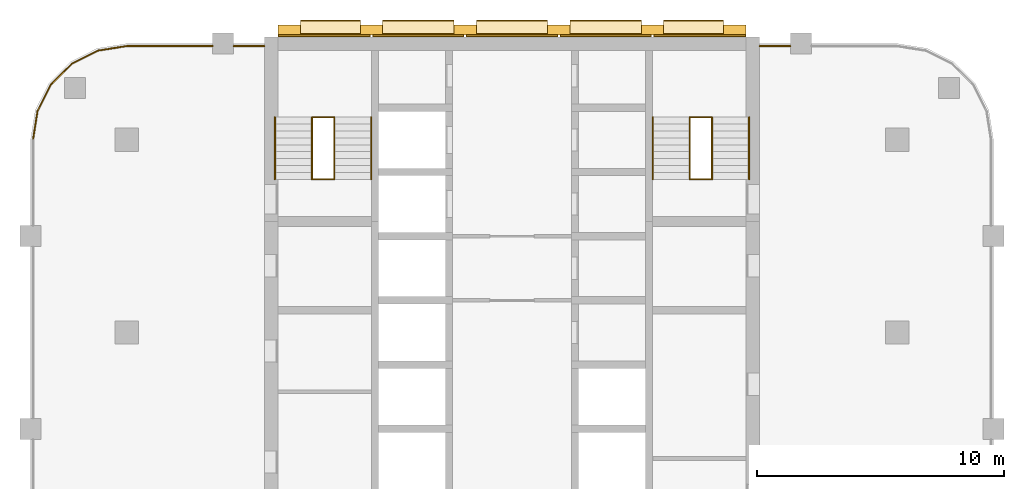
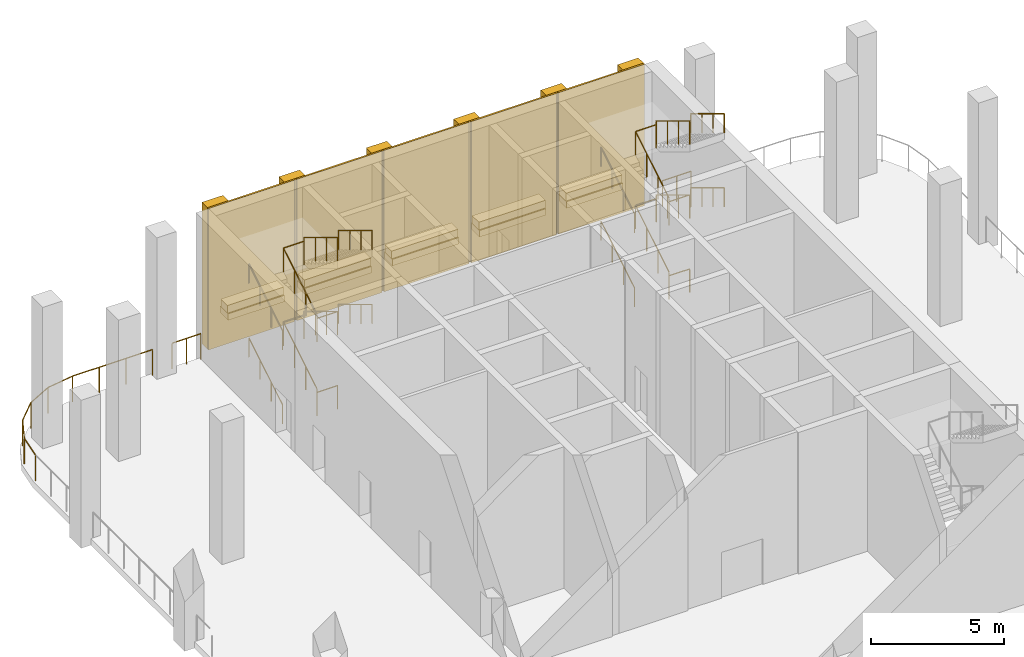
# One storey, part 9 of 10: 28 railings, 21 coverings, 2 elements without a shape of their own.
"""IFC4 building model written with IfcOpenShell, lengths in metres."""

from ifc_helpers import new_model, si_unit, direction, frame, origin, origin_2d, place, context, subcontext, project, spatial, rectangle, circle, extrude, material, layer, layer_set, type_object, element, aggregate, save


model = new_model("IFC4")

# Units and contexts
model_context = context("Model", 3, precision=1e-05, world=origin(), true_north=direction((0.0, 1.0)))
body_context = subcontext(model_context, "Body", "Model", "MODEL_VIEW")
ifc_project = project(units=[si_unit("LENGTHUNIT", "METRE"), si_unit("AREAUNIT", "SQUARE_METRE"), si_unit("VOLUMEUNIT", "CUBIC_METRE"), si_unit("PLANEANGLEUNIT", "RADIAN"), si_unit("MASSUNIT", "GRAM", prefix="KILO")], contexts=[model_context])

# Site, building, storey
site_placement = place(None, origin())
site = spatial("IfcSite", under=ifc_project, at=site_placement, CompositionType="ELEMENT")
building_placement = place(site_placement, origin())
building = spatial("IfcBuilding", under=site, at=building_placement, Name="Ludao Terraces", CompositionType="ELEMENT")
storey_placement = place(building_placement, frame((0.0, 0.0, 116.89990234375)))
storey = spatial("IfcBuildingStorey", under=building, at=storey_placement, Name="L32", CompositionType="ELEMENT", Elevation=116.89990234375)

# Coverings
ifc_material_1 = material(Name="Granite cladding", Category="masonry")
ifc_layer_1 = layer(ifc_material_1, 0.39990234375)
ifc_layer_set_1 = layer_set([ifc_layer_1], Name="ENV Core pilaster stone 400")
covering_type_1 = type_object("IfcCoveringType", Name="ENV Core pilaster stone 400", PredefinedType="CLADDING", material=ifc_layer_set_1)
for number, where, z_axis, x_axis, name in (
    (1, (75.97509765625, 85.054931640625, 0.0), (0.0, 0.0, 1.0), (1.0, 0.0, 0.0), "CC-L32-PIL1"),
    (2, (79.31494140625, 85.054931640625, 0.0), (0.0, 0.0, 1.0), (1.0, 0.0, 0.0), "CC-L32-PIL2"),
    (3, (83.10498046875, 85.054931640625, 0.0), (0.0, 0.0, 1.0), (1.0, 0.0, 0.0), "CC-L32-PIL3"),
    (4, (86.89501953125, 85.054931640625, 0.0), (0.0, 0.0, 1.0), (1.0, 0.0, 0.0), "CC-L32-PIL4"),
    (5, (90.68505859375, 85.054931640625, 0.0), (0.0, 0.0, 1.0), (1.0, 0.0, 0.0), "CC-L32-PIL5"),
    (6, (94.02490234375, 85.054931640625, 0.0), (0.0, 0.0, 1.0), (1.0, 0.0, 0.0), "CC-L32-PIL6"),
):
    element("IfcCovering", number, at=place(storey_placement, frame(where, z_axis=z_axis, x_axis=x_axis)), inside=storey, type_object=covering_type_1, Name=name, PredefinedType="CLADDING", context=body_context, shape_type="SweptSolid", body=[
        extrude(rectangle(XDim=0.89990234375, YDim=0.39990234375, at=origin_2d()), origin(), (0.0, 0.0, 1.0), 6.5),
    ])
ifc_layer_2 = layer(ifc_material_1, 0.60009765625)
ifc_layer_set_2 = layer_set([ifc_layer_2], Name="ENV Core planting shelf stone 600")
covering_type_2 = type_object("IfcCoveringType", Name="ENV Core planting shelf stone 600", PredefinedType="CLADDING", material=ifc_layer_set_2)
covering_1_placement = place(storey_placement, frame((77.64501953125, 85.155029296875, 1.0), z_axis=(0.0, 0.0, 1.0), x_axis=(1.0, 0.0, 0.0)))
element("IfcCovering", 7, at=covering_1_placement, inside=storey, type_object=covering_type_2, Name="CC-L32-SHELF1", PredefinedType="CLADDING", context=body_context, shape_type="SweptSolid", body=[
    extrude(rectangle(XDim=2.43994140625, YDim=0.60009765625, at=origin_2d()), origin(), (0.0, 0.0, 1.0), 0.300048828125),
])
for number, where, z_axis, x_axis, name in (
    (8, (81.2099609375, 85.155029296875, 1.0), (0.0, 0.0, 1.0), (1.0, 0.0, 0.0), "CC-L32-SHELF2"),
    (9, (85.0, 85.155029296875, 1.0), (0.0, 0.0, 1.0), (1.0, 0.0, 0.0), "CC-L32-SHELF3"),
    (10, (88.7900390625, 85.155029296875, 1.0), (0.0, 0.0, 1.0), (1.0, 0.0, 0.0), "CC-L32-SHELF4"),
):
    element("IfcCovering", number, at=place(storey_placement, frame(where, z_axis=z_axis, x_axis=x_axis)), inside=storey, type_object=covering_type_2, Name=name, PredefinedType="CLADDING", context=body_context, shape_type="SweptSolid", body=[
        extrude(rectangle(XDim=2.889892578125, YDim=0.60009765625, at=origin_2d()), origin(), (0.0, 0.0, 1.0), 0.300048828125),
    ])
covering_2_placement = place(storey_placement, frame((92.35498046875, 85.155029296875, 1.0), z_axis=(0.0, 0.0, 1.0), x_axis=(1.0, 0.0, 0.0)))
element("IfcCovering", 11, at=covering_2_placement, inside=storey, type_object=covering_type_2, Name="CC-L32-SHELF5", PredefinedType="CLADDING", context=body_context, shape_type="SweptSolid", body=[
    extrude(rectangle(XDim=2.43994140625, YDim=0.60009765625, at=origin_2d()), origin(), (0.0, 0.0, 1.0), 0.300048828125),
])
ifc_layer_3 = layer(ifc_material_1, 0.080078125)
ifc_layer_set_3 = layer_set([ifc_layer_3], Name="ENV Core stone cladding panel 80")
covering_type_3 = type_object("IfcCoveringType", Name="ENV Core stone cladding panel 80", PredefinedType="CLADDING", material=ifc_layer_set_3)
covering_3_placement = place(storey_placement, frame((77.39501953125, 84.81494140625, 0.0), z_axis=(0.0, 0.0, 1.0), x_axis=(1.0, 0.0, 0.0)))
element("IfcCovering", 12, at=covering_3_placement, inside=storey, type_object=covering_type_3, Name="CC-L32-CORE1", PredefinedType="CLADDING", context=body_context, shape_type="SweptSolid", body=[
    extrude(rectangle(XDim=3.739990234375, YDim=0.080078125, at=origin_2d()), origin(), (0.0, 0.0, 1.0), 6.5),
])
for number, where, z_axis, x_axis, name in (
    (13, (81.2099609375, 84.81494140625, 0.0), (0.0, 0.0, 1.0), (1.0, 0.0, 0.0), "CC-L32-CORE2"),
    (14, (85.0, 84.81494140625, 0.0), (0.0, 0.0, 1.0), (1.0, 0.0, 0.0), "CC-L32-CORE3"),
    (15, (88.7900390625, 84.81494140625, 0.0), (0.0, 0.0, 1.0), (1.0, 0.0, 0.0), "CC-L32-CORE4"),
):
    element("IfcCovering", number, at=place(storey_placement, frame(where, z_axis=z_axis, x_axis=x_axis)), inside=storey, type_object=covering_type_3, Name=name, PredefinedType="CLADDING", context=body_context, shape_type="SweptSolid", body=[
        extrude(rectangle(XDim=3.68994140625, YDim=0.080078125, at=origin_2d()), origin(), (0.0, 0.0, 1.0), 6.5),
    ])
covering_4_placement = place(storey_placement, frame((92.60498046875, 84.81494140625, 0.0), z_axis=(0.0, 0.0, 1.0), x_axis=(1.0, 0.0, 0.0)))
element("IfcCovering", 16, at=covering_4_placement, inside=storey, type_object=covering_type_3, Name="CC-L32-CORE5", PredefinedType="CLADDING", context=body_context, shape_type="SweptSolid", body=[
    extrude(rectangle(XDim=3.739990234375, YDim=0.080078125, at=origin_2d()), origin(), (0.0, 0.0, 1.0), 6.5),
])

# Railings
ifc_material_2 = material(Name="Steel Q235", Category="steel")
railing_type_1 = type_object("IfcRailingType", Name="ENV Open-edge guard 1200", PredefinedType="GUARDRAIL", material=ifc_material_2)
railing_1_placement = place(storey_placement, frame((69.39990234375, 84.39990234375, 0.0)))
element("IfcRailing", 17, at=railing_1_placement, inside=storey, type_object=railing_type_1, Name="Guard L32 N1", PredefinedType="GUARDRAIL", context=body_context, shape_type="SweptSolid", body=[
    extrude(circle(Radius=0.02392578125, at=origin_2d()), frame((0.0, 0.0, 1.17578125), z_axis=(1.0, 0.0, 0.0), x_axis=(0.0, 1.0, 0.0)), (0.0, 0.0, 1.0), 3.47509765625),
    extrude(circle(Radius=0.02099609375, at=origin_2d()), origin(), (0.0, 0.0, 1.0), 1.15185546875),
    extrude(circle(Radius=0.02099609375, at=origin_2d()), frame((1.158447265625, 0.0, 0.0)), (0.0, 0.0, 1.0), 1.15185546875),
    extrude(circle(Radius=0.02099609375, at=origin_2d()), frame((2.316650390625, 0.0, 0.0)), (0.0, 0.0, 1.0), 1.15185546875),
    extrude(circle(Radius=0.02099609375, at=origin_2d()), frame((3.47509765625, 0.0, 0.0)), (0.0, 0.0, 1.0), 1.15185546875),
])
for number, where, name in (
    (18, (73.72509765625, 84.39990234375, 0.0), "Guard L32 N2"),
    (19, (95.02490234375, 84.39990234375, 0.0), "Guard L32 N3"),
):
    element("IfcRailing", number, at=place(storey_placement, frame(where)), inside=storey, type_object=railing_type_1, Name=name, PredefinedType="GUARDRAIL", context=body_context, shape_type="SweptSolid", body=[
        extrude(circle(Radius=0.02392578125, at=origin_2d()), frame((0.0, 0.0, 1.17578125), z_axis=(1.0, 0.0, 0.0), x_axis=(0.0, 1.0, 0.0)), (0.0, 0.0, 1.0), 1.25),
        extrude(circle(Radius=0.02099609375, at=origin_2d()), origin(), (0.0, 0.0, 1.0), 1.15185546875),
        extrude(circle(Radius=0.02099609375, at=origin_2d()), frame((0.625, 0.0, 0.0)), (0.0, 0.0, 1.0), 1.15185546875),
        extrude(circle(Radius=0.02099609375, at=origin_2d()), frame((1.25, 0.0, 0.0)), (0.0, 0.0, 1.0), 1.15185546875),
    ])
railing_2_placement = place(storey_placement, frame((69.39990234375, 84.39990234375, 0.0)))
element("IfcRailing", 20, at=railing_2_placement, inside=storey, type_object=railing_type_1, Name="Guard L32 NW", PredefinedType="GUARDRAIL", context=body_context, shape_type="SweptSolid", body=[
    extrude(circle(Radius=0.02392578125, at=origin_2d()), frame((0.0, 0.0, 1.17578125), z_axis=(-0.987709617879, -0.156300066377, 0.0), x_axis=(0.156300066377, -0.987709617879, 0.0)), (0.0, 0.0, 1.0), 1.188720703125),
    extrude(circle(Radius=0.02392578125, at=origin_2d()), frame((-1.174072265625, -0.185791015625, 1.17578125), z_axis=(-0.890992479772, -0.454018062405, 0.0), x_axis=(0.454018062405, -0.890992479772, 0.0)), (0.0, 0.0, 1.0), 1.18896484375),
    extrude(circle(Radius=0.02392578125, at=origin_2d()), frame((-2.2333984375, -0.7255859375, 1.17578125), z_axis=(-0.707106781187, -0.707106781187, 0.0), x_axis=(0.707106781187, -0.707106781187, 0.0)), (0.0, 0.0, 1.0), 1.189208984375),
    extrude(circle(Radius=0.02392578125, at=origin_2d()), frame((-3.07421875, -1.56640625, 1.17578125), z_axis=(-0.454018062405, -0.890992479772, 0.0), x_axis=(0.890992479772, -0.454018062405, 0.0)), (0.0, 0.0, 1.0), 1.18896484375),
    extrude(circle(Radius=0.02392578125, at=origin_2d()), frame((-3.614013671875, -2.625732421875, 1.17578125), z_axis=(-0.156300066377, -0.987709617879, 0.0), x_axis=(0.987709617879, -0.156300066377, 0.0)), (0.0, 0.0, 1.0), 1.188720703125),
    extrude(circle(Radius=0.02099609375, at=origin_2d()), origin(), (0.0, 0.0, 1.0), 1.15185546875),
    extrude(circle(Radius=0.02099609375, at=origin_2d()), frame((-1.174072265625, -0.185791015625, 0.0)), (0.0, 0.0, 1.0), 1.15185546875),
    extrude(circle(Radius=0.02099609375, at=origin_2d()), frame((-2.2333984375, -0.7255859375, 0.0)), (0.0, 0.0, 1.0), 1.15185546875),
    extrude(circle(Radius=0.02099609375, at=origin_2d()), frame((-3.07421875, -1.56640625, 0.0)), (0.0, 0.0, 1.0), 1.15185546875),
    extrude(circle(Radius=0.02099609375, at=origin_2d()), frame((-3.614013671875, -2.625732421875, 0.0)), (0.0, 0.0, 1.0), 1.15185546875),
    extrude(circle(Radius=0.02099609375, at=origin_2d()), frame((-3.7998046875, -3.7998046875, 0.0)), (0.0, 0.0, 1.0), 1.15185546875),
])

# Coverings
ifc_material_3 = material(Name="Planting")
ifc_layer_4 = layer(ifc_material_3, 0.5)
ifc_layer_set_4 = layer_set([ifc_layer_4], Name="ENV Shelf planting bed 350")
covering_type_4 = type_object("IfcCoveringType", Name="ENV Shelf planting bed 350", PredefinedType="USERDEFINED", material=ifc_layer_set_4)
covering_5_placement = place(storey_placement, frame((77.64501953125, 85.155029296875, 1.300048828125), z_axis=(0.0, 0.0, 1.0), x_axis=(1.0, 0.0, 0.0)))
element("IfcCovering", 21, at=covering_5_placement, inside=storey, type_object=covering_type_4, Name="Shelf planting bed L32 1", ObjectType="PLANTING", PredefinedType="USERDEFINED", context=body_context, shape_type="SweptSolid", body=[
    extrude(rectangle(XDim=2.43994140625, YDim=0.5, at=origin_2d()), origin(), (0.0, 0.0, 1.0), 0.35009765625),
])
for number, where, z_axis, x_axis, name in (
    (22, (81.2099609375, 85.155029296875, 1.300048828125), (0.0, 0.0, 1.0), (1.0, 0.0, 0.0), "Shelf planting bed L32 2"),
    (23, (85.0, 85.155029296875, 1.300048828125), (0.0, 0.0, 1.0), (1.0, 0.0, 0.0), "Shelf planting bed L32 3"),
    (24, (88.7900390625, 85.155029296875, 1.300048828125), (0.0, 0.0, 1.0), (1.0, 0.0, 0.0), "Shelf planting bed L32 4"),
):
    element("IfcCovering", number, at=place(storey_placement, frame(where, z_axis=z_axis, x_axis=x_axis)), inside=storey, type_object=covering_type_4, Name=name, ObjectType="PLANTING", PredefinedType="USERDEFINED", context=body_context, shape_type="SweptSolid", body=[
        extrude(rectangle(XDim=2.889892578125, YDim=0.5, at=origin_2d()), origin(), (0.0, 0.0, 1.0), 0.35009765625),
    ])
covering_6_placement = place(storey_placement, frame((92.35498046875, 85.155029296875, 1.300048828125), z_axis=(0.0, 0.0, 1.0), x_axis=(1.0, 0.0, 0.0)))
element("IfcCovering", 25, at=covering_6_placement, inside=storey, type_object=covering_type_4, Name="Shelf planting bed L32 5", ObjectType="PLANTING", PredefinedType="USERDEFINED", context=body_context, shape_type="SweptSolid", body=[
    extrude(rectangle(XDim=2.43994140625, YDim=0.5, at=origin_2d()), origin(), (0.0, 0.0, 1.0), 0.35009765625),
])

# Stair, railings
ifc_material_4 = material(Name="Concrete C40", Category="concrete")
stair_type = type_object("IfcStairType", Name="INT Stair", PredefinedType="HALF_TURN_STAIR", material=ifc_material_4)
stair_1_placement = place(storey_placement, origin())
stair_1 = element("IfcStair", 26, at=stair_1_placement, inside=storey, type_object=stair_type, Name="EXIT STAIR 1", PredefinedType="HALF_TURN_STAIR")
ifc_material_5 = material(Name="Stainless steel 304", Category="steel")
railing_type_2 = type_object("IfcRailingType", Name="INT Stair guard 1100", PredefinedType="GUARDRAIL", material=ifc_material_5)
railing_3_placement = place(storey_placement, frame((76.89990234375, 79.0, 0.170166015625)))
railing_3 = element("IfcRailing", 27, at=railing_3_placement, type_object=railing_type_2, Name="ST-L32-S1-R1G", PredefinedType="GUARDRAIL", context=body_context, shape_type="SweptSolid", body=[
    extrude(circle(Radius=0.02392578125, at=origin_2d()), frame((0.0, 0.0, 1.076171875), z_axis=(0.0, 0.85478489116, 0.518982456201), x_axis=(-1.0, 0.0, 0.0)), (0.0, 0.0, 1.0), 2.9482421875),
    extrude(circle(Radius=0.02099609375, at=origin_2d()), origin(), (0.0, 0.0, 1.0), 1.052001953125),
    extrude(circle(Radius=0.02099609375, at=origin_2d()), frame((0.0, 0.840087890625, 0.510009765625)), (0.0, 0.0, 1.0), 1.052001953125),
    extrude(circle(Radius=0.02099609375, at=origin_2d()), frame((0.0, 1.679931640625, 1.02001953125)), (0.0, 0.0, 1.0), 1.052001953125),
    extrude(circle(Radius=0.02099609375, at=origin_2d()), frame((0.0, 2.52001953125, 1.530029296875)), (0.0, 0.0, 1.0), 1.052001953125),
])
railing_4_placement = place(storey_placement, frame((77.800048828125, 81.52001953125, 1.8701171875)))
railing_4 = element("IfcRailing", 28, at=railing_4_placement, type_object=railing_type_2, Name="ST-L32-S1-R2G", PredefinedType="GUARDRAIL", context=body_context, shape_type="SweptSolid", body=[
    extrude(circle(Radius=0.02392578125, at=origin_2d()), frame((0.0, 0.0, 1.076171875), z_axis=(0.0, -0.85478489116, 0.518982456201), x_axis=(1.0, 0.0, 0.0)), (0.0, 0.0, 1.0), 2.9482421875),
    extrude(circle(Radius=0.02099609375, at=origin_2d()), origin(), (0.0, 0.0, 1.0), 1.052001953125),
    extrude(circle(Radius=0.02099609375, at=origin_2d()), frame((0.0, -0.840087890625, 0.510009765625)), (0.0, 0.0, 1.0), 1.052001953125),
    extrude(circle(Radius=0.02099609375, at=origin_2d()), frame((0.0, -1.679931640625, 1.02001953125)), (0.0, 0.0, 1.0), 1.052001953125),
    extrude(circle(Radius=0.02099609375, at=origin_2d()), frame((0.0, -2.52001953125, 1.530029296875)), (0.0, 0.0, 1.0), 1.052001953125),
])
railing_5_placement = place(storey_placement, frame((76.89990234375, 79.0, 3.570068359375)))
railing_5 = element("IfcRailing", 29, at=railing_5_placement, type_object=railing_type_2, Name="ST-L32-S1-R3G", PredefinedType="GUARDRAIL", context=body_context, shape_type="SweptSolid", body=[
    extrude(circle(Radius=0.02392578125, at=origin_2d()), frame((0.0, 0.0, 1.076171875), z_axis=(0.0, 0.85478489116, 0.518982456201), x_axis=(-1.0, 0.0, 0.0)), (0.0, 0.0, 1.0), 2.9482421875),
    extrude(circle(Radius=0.02099609375, at=origin_2d()), origin(), (0.0, 0.0, 1.0), 1.052001953125),
    extrude(circle(Radius=0.02099609375, at=origin_2d()), frame((0.0, 0.840087890625, 0.510009765625)), (0.0, 0.0, 1.0), 1.052001953125),
    extrude(circle(Radius=0.02099609375, at=origin_2d()), frame((0.0, 1.679931640625, 1.02001953125)), (0.0, 0.0, 1.0), 1.052001953125),
    extrude(circle(Radius=0.02099609375, at=origin_2d()), frame((0.0, 2.52001953125, 1.530029296875)), (0.0, 0.0, 1.0), 1.052001953125),
])
railing_6_placement = place(storey_placement, frame((77.800048828125, 81.52001953125, 5.27001953125)))
railing_6 = element("IfcRailing", 30, at=railing_6_placement, type_object=railing_type_2, Name="ST-L32-S1-R4G", PredefinedType="GUARDRAIL", context=body_context, shape_type="SweptSolid", body=[
    extrude(circle(Radius=0.02392578125, at=origin_2d()), frame((0.0, 0.0, 1.076171875), z_axis=(0.0, -0.85478489116, 0.518982456201), x_axis=(1.0, 0.0, 0.0)), (0.0, 0.0, 1.0), 2.9482421875),
    extrude(circle(Radius=0.02099609375, at=origin_2d()), origin(), (0.0, 0.0, 1.0), 1.052001953125),
    extrude(circle(Radius=0.02099609375, at=origin_2d()), frame((0.0, -0.840087890625, 0.510009765625)), (0.0, 0.0, 1.0), 1.052001953125),
    extrude(circle(Radius=0.02099609375, at=origin_2d()), frame((0.0, -1.679931640625, 1.02001953125)), (0.0, 0.0, 1.0), 1.052001953125),
    extrude(circle(Radius=0.02099609375, at=origin_2d()), frame((0.0, -2.52001953125, 1.530029296875)), (0.0, 0.0, 1.0), 1.052001953125),
])
railing_7_placement = place(storey_placement, frame((76.89990234375, 81.52001953125, 1.7001953125)))
railing_7 = element("IfcRailing", 31, at=railing_7_placement, type_object=railing_type_2, Name="ST-L32-S1-E1G", PredefinedType="GUARDRAIL", context=body_context, shape_type="SweptSolid", body=[
    extrude(circle(Radius=0.02392578125, at=origin_2d()), frame((0.0, 0.0, 1.076171875), z_axis=(1.0, 0.0, 0.0), x_axis=(0.0, 1.0, 0.0)), (0.0, 0.0, 1.0), 0.900146484375),
    extrude(circle(Radius=0.02099609375, at=origin_2d()), origin(), (0.0, 0.0, 1.0), 1.052001953125),
    extrude(circle(Radius=0.02099609375, at=origin_2d()), frame((0.900146484375, 0.0, 0.0)), (0.0, 0.0, 1.0), 1.052001953125),
])
railing_8_placement = place(storey_placement, frame((76.89990234375, 79.0, 3.400146484375)))
railing_8 = element("IfcRailing", 32, at=railing_8_placement, type_object=railing_type_2, Name="ST-L32-S1-E2G", PredefinedType="GUARDRAIL", context=body_context, shape_type="SweptSolid", body=[
    extrude(circle(Radius=0.02392578125, at=origin_2d()), frame((0.0, 0.0, 1.076171875), z_axis=(1.0, 0.0, 0.0), x_axis=(0.0, 1.0, 0.0)), (0.0, 0.0, 1.0), 0.900146484375),
    extrude(circle(Radius=0.02099609375, at=origin_2d()), origin(), (0.0, 0.0, 1.0), 1.052001953125),
    extrude(circle(Radius=0.02099609375, at=origin_2d()), frame((0.900146484375, 0.0, 0.0)), (0.0, 0.0, 1.0), 1.052001953125),
])
railing_9_placement = place(storey_placement, frame((76.89990234375, 81.52001953125, 5.10009765625)))
railing_9 = element("IfcRailing", 33, at=railing_9_placement, type_object=railing_type_2, Name="ST-L32-S1-E3G", PredefinedType="GUARDRAIL", context=body_context, shape_type="SweptSolid", body=[
    extrude(circle(Radius=0.02392578125, at=origin_2d()), frame((0.0, 0.0, 1.076171875), z_axis=(1.0, 0.0, 0.0), x_axis=(0.0, 1.0, 0.0)), (0.0, 0.0, 1.0), 0.900146484375),
    extrude(circle(Radius=0.02099609375, at=origin_2d()), origin(), (0.0, 0.0, 1.0), 1.052001953125),
    extrude(circle(Radius=0.02099609375, at=origin_2d()), frame((0.900146484375, 0.0, 0.0)), (0.0, 0.0, 1.0), 1.052001953125),
])
railing_10_placement = place(storey_placement, frame((76.89990234375, 79.0, 0.0)))
railing_10 = element("IfcRailing", 34, at=railing_10_placement, type_object=railing_type_2, Name="ST-L32-S1-E4G", PredefinedType="GUARDRAIL", context=body_context, shape_type="SweptSolid", body=[
    extrude(circle(Radius=0.02392578125, at=origin_2d()), frame((0.0, 0.0, 1.076171875), z_axis=(1.0, 0.0, 0.0), x_axis=(0.0, 1.0, 0.0)), (0.0, 0.0, 1.0), 0.900146484375),
    extrude(circle(Radius=0.02099609375, at=origin_2d()), origin(), (0.0, 0.0, 1.0), 1.052001953125),
    extrude(circle(Radius=0.02099609375, at=origin_2d()), frame((0.900146484375, 0.0, 0.0)), (0.0, 0.0, 1.0), 1.052001953125),
])

stair_2_placement = place(storey_placement, origin())
stair_2 = element("IfcStair", 35, at=stair_2_placement, inside=storey, type_object=stair_type, Name="EXIT STAIR 2", PredefinedType="HALF_TURN_STAIR")
railing_11_placement = place(storey_placement, frame((92.199951171875, 79.0, 0.170166015625)))
railing_11 = element("IfcRailing", 36, at=railing_11_placement, type_object=railing_type_2, Name="ST-L32-S2-R1G", PredefinedType="GUARDRAIL", context=body_context, shape_type="SweptSolid", body=[
    extrude(circle(Radius=0.02392578125, at=origin_2d()), frame((0.0, 0.0, 1.076171875), z_axis=(0.0, 0.85478489116, 0.518982456201), x_axis=(-1.0, 0.0, 0.0)), (0.0, 0.0, 1.0), 2.9482421875),
    extrude(circle(Radius=0.02099609375, at=origin_2d()), origin(), (0.0, 0.0, 1.0), 1.052001953125),
    extrude(circle(Radius=0.02099609375, at=origin_2d()), frame((0.0, 0.840087890625, 0.510009765625)), (0.0, 0.0, 1.0), 1.052001953125),
    extrude(circle(Radius=0.02099609375, at=origin_2d()), frame((0.0, 1.679931640625, 1.02001953125)), (0.0, 0.0, 1.0), 1.052001953125),
    extrude(circle(Radius=0.02099609375, at=origin_2d()), frame((0.0, 2.52001953125, 1.530029296875)), (0.0, 0.0, 1.0), 1.052001953125),
])
railing_12_placement = place(storey_placement, frame((93.10009765625, 81.52001953125, 1.8701171875)))
railing_12 = element("IfcRailing", 37, at=railing_12_placement, type_object=railing_type_2, Name="ST-L32-S2-R2G", PredefinedType="GUARDRAIL", context=body_context, shape_type="SweptSolid", body=[
    extrude(circle(Radius=0.02392578125, at=origin_2d()), frame((0.0, 0.0, 1.076171875), z_axis=(0.0, -0.85478489116, 0.518982456201), x_axis=(1.0, 0.0, 0.0)), (0.0, 0.0, 1.0), 2.9482421875),
    extrude(circle(Radius=0.02099609375, at=origin_2d()), origin(), (0.0, 0.0, 1.0), 1.052001953125),
    extrude(circle(Radius=0.02099609375, at=origin_2d()), frame((0.0, -0.840087890625, 0.510009765625)), (0.0, 0.0, 1.0), 1.052001953125),
    extrude(circle(Radius=0.02099609375, at=origin_2d()), frame((0.0, -1.679931640625, 1.02001953125)), (0.0, 0.0, 1.0), 1.052001953125),
    extrude(circle(Radius=0.02099609375, at=origin_2d()), frame((0.0, -2.52001953125, 1.530029296875)), (0.0, 0.0, 1.0), 1.052001953125),
])
railing_13_placement = place(storey_placement, frame((92.199951171875, 79.0, 3.570068359375)))
railing_13 = element("IfcRailing", 38, at=railing_13_placement, type_object=railing_type_2, Name="ST-L32-S2-R3G", PredefinedType="GUARDRAIL", context=body_context, shape_type="SweptSolid", body=[
    extrude(circle(Radius=0.02392578125, at=origin_2d()), frame((0.0, 0.0, 1.076171875), z_axis=(0.0, 0.85478489116, 0.518982456201), x_axis=(-1.0, 0.0, 0.0)), (0.0, 0.0, 1.0), 2.9482421875),
    extrude(circle(Radius=0.02099609375, at=origin_2d()), origin(), (0.0, 0.0, 1.0), 1.052001953125),
    extrude(circle(Radius=0.02099609375, at=origin_2d()), frame((0.0, 0.840087890625, 0.510009765625)), (0.0, 0.0, 1.0), 1.052001953125),
    extrude(circle(Radius=0.02099609375, at=origin_2d()), frame((0.0, 1.679931640625, 1.02001953125)), (0.0, 0.0, 1.0), 1.052001953125),
    extrude(circle(Radius=0.02099609375, at=origin_2d()), frame((0.0, 2.52001953125, 1.530029296875)), (0.0, 0.0, 1.0), 1.052001953125),
])
railing_14_placement = place(storey_placement, frame((93.10009765625, 81.52001953125, 5.27001953125)))
railing_14 = element("IfcRailing", 39, at=railing_14_placement, type_object=railing_type_2, Name="ST-L32-S2-R4G", PredefinedType="GUARDRAIL", context=body_context, shape_type="SweptSolid", body=[
    extrude(circle(Radius=0.02392578125, at=origin_2d()), frame((0.0, 0.0, 1.076171875), z_axis=(0.0, -0.85478489116, 0.518982456201), x_axis=(1.0, 0.0, 0.0)), (0.0, 0.0, 1.0), 2.9482421875),
    extrude(circle(Radius=0.02099609375, at=origin_2d()), origin(), (0.0, 0.0, 1.0), 1.052001953125),
    extrude(circle(Radius=0.02099609375, at=origin_2d()), frame((0.0, -0.840087890625, 0.510009765625)), (0.0, 0.0, 1.0), 1.052001953125),
    extrude(circle(Radius=0.02099609375, at=origin_2d()), frame((0.0, -1.679931640625, 1.02001953125)), (0.0, 0.0, 1.0), 1.052001953125),
    extrude(circle(Radius=0.02099609375, at=origin_2d()), frame((0.0, -2.52001953125, 1.530029296875)), (0.0, 0.0, 1.0), 1.052001953125),
])
railing_15_placement = place(storey_placement, frame((92.199951171875, 81.52001953125, 1.7001953125)))
railing_15 = element("IfcRailing", 40, at=railing_15_placement, type_object=railing_type_2, Name="ST-L32-S2-E1G", PredefinedType="GUARDRAIL", context=body_context, shape_type="SweptSolid", body=[
    extrude(circle(Radius=0.02392578125, at=origin_2d()), frame((0.0, 0.0, 1.076171875), z_axis=(1.0, 0.0, 0.0), x_axis=(0.0, 1.0, 0.0)), (0.0, 0.0, 1.0), 0.900146484375),
    extrude(circle(Radius=0.02099609375, at=origin_2d()), origin(), (0.0, 0.0, 1.0), 1.052001953125),
    extrude(circle(Radius=0.02099609375, at=origin_2d()), frame((0.900146484375, 0.0, 0.0)), (0.0, 0.0, 1.0), 1.052001953125),
])
railing_16_placement = place(storey_placement, frame((92.199951171875, 79.0, 3.400146484375)))
railing_16 = element("IfcRailing", 41, at=railing_16_placement, type_object=railing_type_2, Name="ST-L32-S2-E2G", PredefinedType="GUARDRAIL", context=body_context, shape_type="SweptSolid", body=[
    extrude(circle(Radius=0.02392578125, at=origin_2d()), frame((0.0, 0.0, 1.076171875), z_axis=(1.0, 0.0, 0.0), x_axis=(0.0, 1.0, 0.0)), (0.0, 0.0, 1.0), 0.900146484375),
    extrude(circle(Radius=0.02099609375, at=origin_2d()), origin(), (0.0, 0.0, 1.0), 1.052001953125),
    extrude(circle(Radius=0.02099609375, at=origin_2d()), frame((0.900146484375, 0.0, 0.0)), (0.0, 0.0, 1.0), 1.052001953125),
])
railing_17_placement = place(storey_placement, frame((92.199951171875, 81.52001953125, 5.10009765625)))
railing_17 = element("IfcRailing", 42, at=railing_17_placement, type_object=railing_type_2, Name="ST-L32-S2-E3G", PredefinedType="GUARDRAIL", context=body_context, shape_type="SweptSolid", body=[
    extrude(circle(Radius=0.02392578125, at=origin_2d()), frame((0.0, 0.0, 1.076171875), z_axis=(1.0, 0.0, 0.0), x_axis=(0.0, 1.0, 0.0)), (0.0, 0.0, 1.0), 0.900146484375),
    extrude(circle(Radius=0.02099609375, at=origin_2d()), origin(), (0.0, 0.0, 1.0), 1.052001953125),
    extrude(circle(Radius=0.02099609375, at=origin_2d()), frame((0.900146484375, 0.0, 0.0)), (0.0, 0.0, 1.0), 1.052001953125),
])
railing_18_placement = place(storey_placement, frame((92.199951171875, 79.0, 0.0)))
railing_18 = element("IfcRailing", 43, at=railing_18_placement, type_object=railing_type_2, Name="ST-L32-S2-E4G", PredefinedType="GUARDRAIL", context=body_context, shape_type="SweptSolid", body=[
    extrude(circle(Radius=0.02392578125, at=origin_2d()), frame((0.0, 0.0, 1.076171875), z_axis=(1.0, 0.0, 0.0), x_axis=(0.0, 1.0, 0.0)), (0.0, 0.0, 1.0), 0.900146484375),
    extrude(circle(Radius=0.02099609375, at=origin_2d()), origin(), (0.0, 0.0, 1.0), 1.052001953125),
    extrude(circle(Radius=0.02099609375, at=origin_2d()), frame((0.900146484375, 0.0, 0.0)), (0.0, 0.0, 1.0), 1.052001953125),
])

# Railing
railing_type_3 = type_object("IfcRailingType", Name="INT Stair handrail 900", PredefinedType="HANDRAIL", material=ifc_material_5)
railing_19_placement = place(storey_placement, frame((75.39990234375, 79.0, 0.170166015625)))
railing_19 = element("IfcRailing", 44, at=railing_19_placement, type_object=railing_type_3, Name="ST-L32-S1-R1H", PredefinedType="HANDRAIL", context=body_context, shape_type="SweptSolid", body=[
    extrude(circle(Radius=0.02392578125, at=origin_2d()), frame((0.0, 0.0, 0.8759765625), z_axis=(0.0, 0.85478489116, 0.518982456201), x_axis=(-1.0, 0.0, 0.0)), (0.0, 0.0, 1.0), 2.9482421875),
    extrude(circle(Radius=0.02099609375, at=origin_2d()), origin(), (0.0, 0.0, 1.0), 0.851806640625),
    extrude(circle(Radius=0.02099609375, at=origin_2d()), frame((0.0, 0.840087890625, 0.510009765625)), (0.0, 0.0, 1.0), 0.851806640625),
    extrude(circle(Radius=0.02099609375, at=origin_2d()), frame((0.0, 1.679931640625, 1.02001953125)), (0.0, 0.0, 1.0), 0.851806640625),
    extrude(circle(Radius=0.02099609375, at=origin_2d()), frame((0.0, 2.52001953125, 1.530029296875)), (0.0, 0.0, 1.0), 0.851806640625),
])

railing_20_placement = place(storey_placement, frame((79.300048828125, 81.52001953125, 1.8701171875)))
railing_20 = element("IfcRailing", 45, at=railing_20_placement, type_object=railing_type_3, Name="ST-L32-S1-R2H", PredefinedType="HANDRAIL", context=body_context, shape_type="SweptSolid", body=[
    extrude(circle(Radius=0.02392578125, at=origin_2d()), frame((0.0, 0.0, 0.8759765625), z_axis=(0.0, -0.85478489116, 0.518982456201), x_axis=(1.0, 0.0, 0.0)), (0.0, 0.0, 1.0), 2.9482421875),
    extrude(circle(Radius=0.02099609375, at=origin_2d()), origin(), (0.0, 0.0, 1.0), 0.851806640625),
    extrude(circle(Radius=0.02099609375, at=origin_2d()), frame((0.0, -0.840087890625, 0.510009765625)), (0.0, 0.0, 1.0), 0.851806640625),
    extrude(circle(Radius=0.02099609375, at=origin_2d()), frame((0.0, -1.679931640625, 1.02001953125)), (0.0, 0.0, 1.0), 0.851806640625),
    extrude(circle(Radius=0.02099609375, at=origin_2d()), frame((0.0, -2.52001953125, 1.530029296875)), (0.0, 0.0, 1.0), 0.851806640625),
])

railing_21_placement = place(storey_placement, frame((75.39990234375, 79.0, 3.570068359375)))
railing_21 = element("IfcRailing", 46, at=railing_21_placement, type_object=railing_type_3, Name="ST-L32-S1-R3H", PredefinedType="HANDRAIL", context=body_context, shape_type="SweptSolid", body=[
    extrude(circle(Radius=0.02392578125, at=origin_2d()), frame((0.0, 0.0, 0.8759765625), z_axis=(0.0, 0.85478489116, 0.518982456201), x_axis=(-1.0, 0.0, 0.0)), (0.0, 0.0, 1.0), 2.9482421875),
    extrude(circle(Radius=0.02099609375, at=origin_2d()), origin(), (0.0, 0.0, 1.0), 0.851806640625),
    extrude(circle(Radius=0.02099609375, at=origin_2d()), frame((0.0, 0.840087890625, 0.510009765625)), (0.0, 0.0, 1.0), 0.851806640625),
    extrude(circle(Radius=0.02099609375, at=origin_2d()), frame((0.0, 1.679931640625, 1.02001953125)), (0.0, 0.0, 1.0), 0.851806640625),
    extrude(circle(Radius=0.02099609375, at=origin_2d()), frame((0.0, 2.52001953125, 1.530029296875)), (0.0, 0.0, 1.0), 0.851806640625),
])

railing_22_placement = place(storey_placement, frame((79.300048828125, 81.52001953125, 5.27001953125)))
railing_22 = element("IfcRailing", 47, at=railing_22_placement, type_object=railing_type_3, Name="ST-L32-S1-R4H", PredefinedType="HANDRAIL", context=body_context, shape_type="SweptSolid", body=[
    extrude(circle(Radius=0.02392578125, at=origin_2d()), frame((0.0, 0.0, 0.8759765625), z_axis=(0.0, -0.85478489116, 0.518982456201), x_axis=(1.0, 0.0, 0.0)), (0.0, 0.0, 1.0), 2.9482421875),
    extrude(circle(Radius=0.02099609375, at=origin_2d()), origin(), (0.0, 0.0, 1.0), 0.851806640625),
    extrude(circle(Radius=0.02099609375, at=origin_2d()), frame((0.0, -0.840087890625, 0.510009765625)), (0.0, 0.0, 1.0), 0.851806640625),
    extrude(circle(Radius=0.02099609375, at=origin_2d()), frame((0.0, -1.679931640625, 1.02001953125)), (0.0, 0.0, 1.0), 0.851806640625),
    extrude(circle(Radius=0.02099609375, at=origin_2d()), frame((0.0, -2.52001953125, 1.530029296875)), (0.0, 0.0, 1.0), 0.851806640625),
])

aggregate(stair_1, [railing_3, railing_19, railing_4, railing_20, railing_5, railing_21, railing_6, railing_22, railing_7, railing_8, railing_9, railing_10])

railing_23_placement = place(storey_placement, frame((90.699951171875, 79.0, 0.170166015625)))
railing_23 = element("IfcRailing", 48, at=railing_23_placement, type_object=railing_type_3, Name="ST-L32-S2-R1H", PredefinedType="HANDRAIL", context=body_context, shape_type="SweptSolid", body=[
    extrude(circle(Radius=0.02392578125, at=origin_2d()), frame((0.0, 0.0, 0.8759765625), z_axis=(0.0, 0.85478489116, 0.518982456201), x_axis=(-1.0, 0.0, 0.0)), (0.0, 0.0, 1.0), 2.9482421875),
    extrude(circle(Radius=0.02099609375, at=origin_2d()), origin(), (0.0, 0.0, 1.0), 0.851806640625),
    extrude(circle(Radius=0.02099609375, at=origin_2d()), frame((0.0, 0.840087890625, 0.510009765625)), (0.0, 0.0, 1.0), 0.851806640625),
    extrude(circle(Radius=0.02099609375, at=origin_2d()), frame((0.0, 1.679931640625, 1.02001953125)), (0.0, 0.0, 1.0), 0.851806640625),
    extrude(circle(Radius=0.02099609375, at=origin_2d()), frame((0.0, 2.52001953125, 1.530029296875)), (0.0, 0.0, 1.0), 0.851806640625),
])

railing_24_placement = place(storey_placement, frame((94.60009765625, 81.52001953125, 1.8701171875)))
railing_24 = element("IfcRailing", 49, at=railing_24_placement, type_object=railing_type_3, Name="ST-L32-S2-R2H", PredefinedType="HANDRAIL", context=body_context, shape_type="SweptSolid", body=[
    extrude(circle(Radius=0.02392578125, at=origin_2d()), frame((0.0, 0.0, 0.8759765625), z_axis=(0.0, -0.85478489116, 0.518982456201), x_axis=(1.0, 0.0, 0.0)), (0.0, 0.0, 1.0), 2.9482421875),
    extrude(circle(Radius=0.02099609375, at=origin_2d()), origin(), (0.0, 0.0, 1.0), 0.851806640625),
    extrude(circle(Radius=0.02099609375, at=origin_2d()), frame((0.0, -0.840087890625, 0.510009765625)), (0.0, 0.0, 1.0), 0.851806640625),
    extrude(circle(Radius=0.02099609375, at=origin_2d()), frame((0.0, -1.679931640625, 1.02001953125)), (0.0, 0.0, 1.0), 0.851806640625),
    extrude(circle(Radius=0.02099609375, at=origin_2d()), frame((0.0, -2.52001953125, 1.530029296875)), (0.0, 0.0, 1.0), 0.851806640625),
])

railing_25_placement = place(storey_placement, frame((90.699951171875, 79.0, 3.570068359375)))
railing_25 = element("IfcRailing", 50, at=railing_25_placement, type_object=railing_type_3, Name="ST-L32-S2-R3H", PredefinedType="HANDRAIL", context=body_context, shape_type="SweptSolid", body=[
    extrude(circle(Radius=0.02392578125, at=origin_2d()), frame((0.0, 0.0, 0.8759765625), z_axis=(0.0, 0.85478489116, 0.518982456201), x_axis=(-1.0, 0.0, 0.0)), (0.0, 0.0, 1.0), 2.9482421875),
    extrude(circle(Radius=0.02099609375, at=origin_2d()), origin(), (0.0, 0.0, 1.0), 0.851806640625),
    extrude(circle(Radius=0.02099609375, at=origin_2d()), frame((0.0, 0.840087890625, 0.510009765625)), (0.0, 0.0, 1.0), 0.851806640625),
    extrude(circle(Radius=0.02099609375, at=origin_2d()), frame((0.0, 1.679931640625, 1.02001953125)), (0.0, 0.0, 1.0), 0.851806640625),
    extrude(circle(Radius=0.02099609375, at=origin_2d()), frame((0.0, 2.52001953125, 1.530029296875)), (0.0, 0.0, 1.0), 0.851806640625),
])

railing_26_placement = place(storey_placement, frame((94.60009765625, 81.52001953125, 5.27001953125)))
railing_26 = element("IfcRailing", 51, at=railing_26_placement, type_object=railing_type_3, Name="ST-L32-S2-R4H", PredefinedType="HANDRAIL", context=body_context, shape_type="SweptSolid", body=[
    extrude(circle(Radius=0.02392578125, at=origin_2d()), frame((0.0, 0.0, 0.8759765625), z_axis=(0.0, -0.85478489116, 0.518982456201), x_axis=(1.0, 0.0, 0.0)), (0.0, 0.0, 1.0), 2.9482421875),
    extrude(circle(Radius=0.02099609375, at=origin_2d()), origin(), (0.0, 0.0, 1.0), 0.851806640625),
    extrude(circle(Radius=0.02099609375, at=origin_2d()), frame((0.0, -0.840087890625, 0.510009765625)), (0.0, 0.0, 1.0), 0.851806640625),
    extrude(circle(Radius=0.02099609375, at=origin_2d()), frame((0.0, -1.679931640625, 1.02001953125)), (0.0, 0.0, 1.0), 0.851806640625),
    extrude(circle(Radius=0.02099609375, at=origin_2d()), frame((0.0, -2.52001953125, 1.530029296875)), (0.0, 0.0, 1.0), 0.851806640625),
])

aggregate(stair_2, [railing_11, railing_23, railing_12, railing_24, railing_13, railing_25, railing_14, railing_26, railing_15, railing_16, railing_17, railing_18])

save(model, "model.ifc")
